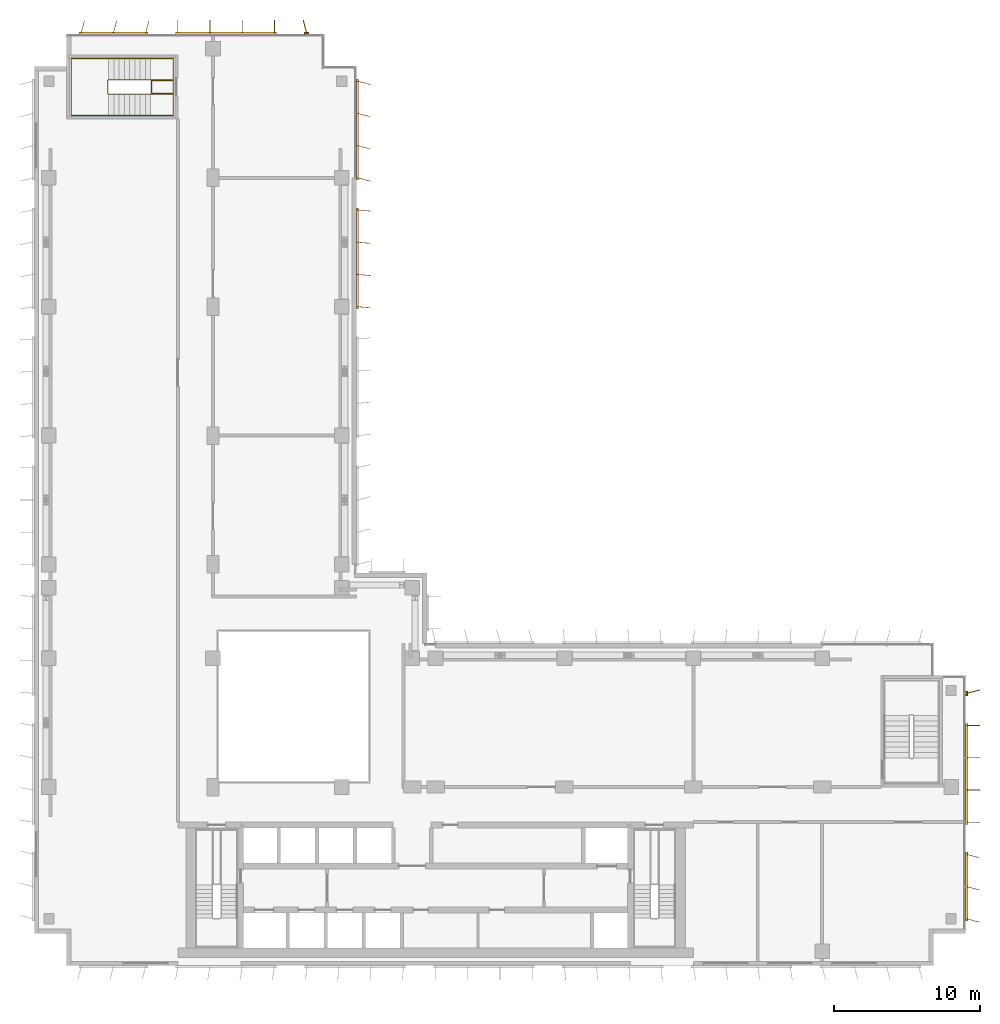
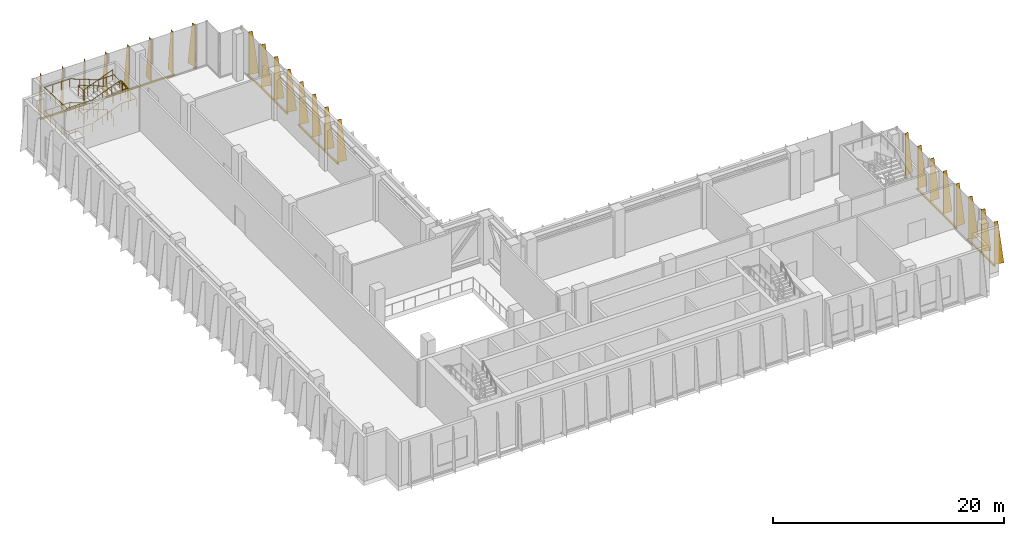
# One storey, part 17 of 17: 8 shading devices, 2 railings.
"""IFC4 building model written with IfcOpenShell, lengths in metres."""

import ifcopenshell
import ifcopenshell.guid

model = None  # the IFC model being written
_history = None  # IfcOwnerHistory: only IFC2X3 demands one
_inside = {}  # id of a spatial element -> (the spatial element, [elements in it])
_under = {}  # id of a project, library or spatial element -> (it, [spatial elements below it])
_declared = {}  # id of a project -> (the project, [libraries it declares])
_typed = {}  # id of a type object -> (the type object, [elements of that type])
_made_of = {}  # id of a material, layer set ... -> (it, [elements and type objects made of it])


def new_model(schema):
    """Start an empty IFC model of exactly this schema.

    Asked for "IFC4X3", IfcOpenShell would pick the latest addendum, in which some entities
    have other attributes; the version numbers below select the first issue.
    IFC2X3 requires an IfcOwnerHistory on every rooted entity: one is made here for all.
    """
    global model, _history
    if schema == "IFC4X3":
        model = ifcopenshell.file(schema_version=(4, 3, 0, 0))
    else:
        model = ifcopenshell.file(schema=schema)
    _inside.clear()
    _under.clear()
    _declared.clear()
    _typed.clear()
    _made_of.clear()
    _history = None
    if model.schema == "IFC2X3":
        org = make("IfcOrganization", Name="unknown")
        user = make(
            "IfcPersonAndOrganization",
            ThePerson=make("IfcPerson", FamilyName="unknown"),
            TheOrganization=org,
        )
        app = make(
            "IfcApplication",
            ApplicationDeveloper=org,
            Version="unknown",
            ApplicationFullName="unknown",
            ApplicationIdentifier="unknown",
        )
        _history = make(
            "IfcOwnerHistory",
            OwningUser=user,
            OwningApplication=app,
            ChangeAction="ADDED",
            CreationDate=0,
        )
    return model


def make(cls, **values):
    """One entity of the class cls with the attributes given. An attribute that is None is left unset."""
    return model.create_entity(
        cls, **{name: value for name, value in values.items() if value is not None}
    )


def rooted(cls, **values):
    """An entity with a GlobalId (a new one), such as an element, a storey or a relation."""
    return make(cls, GlobalId=ifcopenshell.guid.new(), OwnerHistory=_history, **values)


def si_unit(unit_type, name, prefix=None):
    """IfcSIUnit, for example si_unit("LENGTHUNIT", "METRE", prefix="MILLI")."""
    return make("IfcSIUnit", UnitType=unit_type, Prefix=prefix, Name=name)


def assignment(units):
    """IfcUnitAssignment: the units of a project."""
    return None if units is None else make("IfcUnitAssignment", Units=units)


def point(xyz):
    """IfcCartesianPoint."""
    return None if xyz is None else make("IfcCartesianPoint", Coordinates=xyz)


def direction(xyz):
    """IfcDirection."""
    return None if xyz is None else make("IfcDirection", DirectionRatios=xyz)


def frame(location, z_axis=None, x_axis=None):
    """IfcAxis2Placement3D, a coordinate frame: its origin and axes. An axis left out is left unset."""
    return make(
        "IfcAxis2Placement3D",
        Location=point(location),
        Axis=direction(z_axis),
        RefDirection=direction(x_axis),
    )


def frame_2d(location, x_axis=None):
    """IfcAxis2Placement2D, a coordinate frame in the plane: its origin and x axis."""
    return make(
        "IfcAxis2Placement2D", Location=point(location), RefDirection=direction(x_axis)
    )


def origin():
    """The frame at (0, 0, 0) with its axes left unset."""
    return frame((0.0, 0.0, 0.0))


def origin_2d():
    """The frame at (0, 0) in the plane with its x axis left unset."""
    return frame_2d((0.0, 0.0))


def place(relative_to, where):
    """IfcLocalPlacement: puts the frame where relative to a parent placement (None: the world)."""
    return make(
        "IfcLocalPlacement", PlacementRelTo=relative_to, RelativePlacement=where
    )


def context(
    kind, dimensions, precision=None, world=None, true_north=None, identifier=None
):
    """IfcGeometricRepresentationContext, for example the 3D "Model" context."""
    return make(
        "IfcGeometricRepresentationContext",
        ContextIdentifier=identifier,
        ContextType=kind,
        CoordinateSpaceDimension=dimensions,
        Precision=precision,
        WorldCoordinateSystem=world,
        TrueNorth=true_north,
    )


def subcontext(parent, identifier, kind, view, scale=None):
    """IfcGeometricRepresentationSubContext, for example "Body" below "Model"."""
    return make(
        "IfcGeometricRepresentationSubContext",
        ContextIdentifier=identifier,
        ContextType=kind,
        ParentContext=parent,
        TargetScale=scale,
        TargetView=view,
    )


def project(units=None, contexts=None):
    """IfcProject with its units and contexts."""
    return rooted(
        "IfcProject",
        Name="project",
        RepresentationContexts=contexts,
        UnitsInContext=assignment(units),
    )


def spatial(cls, under=None, at=None, **own):
    """A site, building, storey or space (cls), placed at a placement, below another one or the project."""
    s = rooted(cls, ObjectPlacement=at, **own)
    if under is not None:
        _under.setdefault(under.id(), (under, []))[1].append(s)
    return s


def polyline(points):
    """IfcPolyline through the points."""
    return make("IfcPolyline", Points=[point(p) for p in points])


def profile(cls, at=None, kind="AREA", **sizes):
    """A parametric profile (cls). Its sizes go by their IFC names, for example OverallWidth=200.0."""
    return make(cls, ProfileType=kind, Position=at, **sizes)


def rectangle(**sizes):
    """IfcRectangleProfileDef."""
    return profile("IfcRectangleProfileDef", **sizes)


def circle(**sizes):
    """IfcCircleProfileDef."""
    return profile("IfcCircleProfileDef", **sizes)


def outline(outer, holes=None, kind="AREA"):
    """IfcArbitraryClosedProfileDef: a profile drawn as a closed curve; with holes, ...WithVoids."""
    if holes is None:
        return make("IfcArbitraryClosedProfileDef", ProfileType=kind, OuterCurve=outer)
    return make(
        "IfcArbitraryProfileDefWithVoids",
        ProfileType=kind,
        OuterCurve=outer,
        InnerCurves=holes,
    )


def extrude(swept, where, along, depth):
    """IfcExtrudedAreaSolid: the profile swept, set in the frame where, extruded along a direction by depth."""
    return make(
        "IfcExtrudedAreaSolid",
        SweptArea=swept,
        Position=where,
        ExtrudedDirection=direction(along),
        Depth=depth,
    )


def shape(context_of_items, identifier, shape_type, items):
    """IfcShapeRepresentation: the items that make up one representation, for example the "Body"."""
    return make(
        "IfcShapeRepresentation",
        ContextOfItems=context_of_items,
        RepresentationIdentifier=identifier,
        RepresentationType=shape_type,
        Items=items,
    )


def source(mapping_origin, context_of_items, identifier, shape_type, items):
    """IfcRepresentationMap: a shape defined once, which mapped items show again and again."""
    return make(
        "IfcRepresentationMap",
        MappingOrigin=mapping_origin,
        MappedRepresentation=shape(context_of_items, identifier, shape_type, items),
    )


def transform(
    local_origin,
    x_axis=None,
    y_axis=None,
    z_axis=None,
    scale=None,
    scale2=None,
    scale3=None,
    uniform=True,
):
    """IfcCartesianTransformationOperator3D, or its non-uniform kind. x_axis, y_axis, z_axis: its Axis1, 2, 3."""
    if uniform:
        return make(
            "IfcCartesianTransformationOperator3D",
            Axis1=direction(x_axis),
            Axis2=direction(y_axis),
            LocalOrigin=point(local_origin),
            Scale=scale,
            Axis3=direction(z_axis),
        )
    return make(
        "IfcCartesianTransformationOperator3DnonUniform",
        Axis1=direction(x_axis),
        Axis2=direction(y_axis),
        LocalOrigin=point(local_origin),
        Scale=scale,
        Axis3=direction(z_axis),
        Scale2=scale2,
        Scale3=scale3,
    )


def mapped(mapping_source, mapping_target):
    """IfcMappedItem: shows the shape of a source again, moved by a transform."""
    return make(
        "IfcMappedItem", MappingSource=mapping_source, MappingTarget=mapping_target
    )


def material(Name=None, Category=None):
    """IfcMaterial."""
    return make("IfcMaterial", Name=Name, Category=Category)


def layer(
    of_material, thickness, ventilated=None, Name=None, Category=None, Priority=None
):
    """IfcMaterialLayer: one layer of a wall or slab, of a material (None: an air gap)."""
    return make(
        "IfcMaterialLayer",
        Material=of_material,
        LayerThickness=thickness,
        IsVentilated=ventilated,
        Name=Name,
        Category=Category,
        Priority=Priority,
    )


def layer_set(layers, Name=None):
    """IfcMaterialLayerSet."""
    return make("IfcMaterialLayerSet", MaterialLayers=layers, LayerSetName=Name)


def made_of(thing, what):
    """Note that an element or type object is made of a material, layer set ...; save() writes the relation."""
    if what is not None:
        _made_of.setdefault(what.id(), (what, []))[1].append(thing)
    return thing


def type_object(cls, material=None, **own):
    """A type object (cls), such as IfcWallType, which elements share."""
    return made_of(rooted(cls, **own), material)


def element(
    cls,
    number,
    at=None,
    inside=None,
    cuts=None,
    type_object=None,
    material=None,
    context=None,
    identifier="Body",
    shape_type=None,
    held_by="IfcProductDefinitionShape",
    body=None,
    shapes=None,
    **own,
):
    """One element of the class cls, such as IfcWall. Its Tag is "e" and its number.

    at: its placement. inside: the storey or other place that contains it. cuts: it is an
    opening in that element (IfcRelVoidsElement). A single representation is given by context,
    identifier, shape_type and body (its items); several are given by shapes. held_by: the class
    of the entity that holds the representations. save() writes the other relations.
    """
    e = rooted(cls, Tag="e%d" % number, ObjectPlacement=at, **own)
    if body is not None:
        shapes = [shape(context, identifier, shape_type, body)]
    if shapes is not None:
        e.Representation = make(held_by, Representations=shapes)
    if inside is not None:
        _inside.setdefault(inside.id(), (inside, []))[1].append(e)
    if cuts is not None:
        rooted(
            "IfcRelVoidsElement", RelatingBuildingElement=cuts, RelatedOpeningElement=e
        )
    if type_object is not None:
        _typed.setdefault(type_object.id(), (type_object, []))[1].append(e)
    return made_of(e, material)


def aggregate(whole, parts):
    """IfcRelAggregates: a whole, such as a stair, and the parts it consists of."""
    return rooted("IfcRelAggregates", RelatingObject=whole, RelatedObjects=parts)


def save(model, path):
    """Write the relations noted so far, then the file.

    IfcRelAggregates (storeys below a building ...), IfcRelContainedInSpatialStructure (elements
    in a storey), IfcRelDefinesByType, IfcRelAssociatesMaterial and IfcRelDeclares: one each for
    every whole, place, type object, material and project.
    """
    for whole, parts in _under.values():
        aggregate(whole, parts)
    for where, things in _inside.values():
        rooted(
            "IfcRelContainedInSpatialStructure",
            RelatedElements=things,
            RelatingStructure=where,
        )
    for kind, things in _typed.values():
        rooted("IfcRelDefinesByType", RelatedObjects=things, RelatingType=kind)
    for what, things in _made_of.values():
        rooted("IfcRelAssociatesMaterial", RelatedObjects=things, RelatingMaterial=what)
    for by, libraries in _declared.values():
        rooted("IfcRelDeclares", RelatingContext=by, RelatedDefinitions=libraries)
    model.write(path)


model = new_model("IFC4")

# Units and contexts
model_context = context("Model", 3, precision=1e-05, world=origin(), true_north=direction((0.0, 1.0)))
body_context = subcontext(model_context, "Body", "Model", "MODEL_VIEW")
ifc_project = project(units=[si_unit("LENGTHUNIT", "METRE"), si_unit("AREAUNIT", "SQUARE_METRE"), si_unit("VOLUMEUNIT", "CUBIC_METRE"), si_unit("PLANEANGLEUNIT", "RADIAN"), si_unit("MASSUNIT", "GRAM", prefix="KILO")], contexts=[model_context])

# Site, building, storey
site_placement = place(None, origin())
site = spatial("IfcSite", under=ifc_project, at=site_placement, CompositionType="ELEMENT")
building_placement = place(site_placement, origin())
building = spatial("IfcBuilding", under=site, at=building_placement, Name="Kemantara Hotel Tower", CompositionType="ELEMENT")
storey_placement = place(building_placement, frame((0.0, 0.0, 193.800048828125)))
storey = spatial("IfcBuildingStorey", under=building, at=storey_placement, Name="L48", CompositionType="ELEMENT", Elevation=193.800048828125)

# Railings
ifc_material_1 = material(Name="Stainless steel balustrade", Category="steel")
railing_type_1 = type_object("IfcRailingType", Name="Stair guard 1100 mm", PredefinedType="GUARDRAIL", material=ifc_material_1)
railing_1_placement = place(storey_placement, frame((7.949951171875, 59.5, 5.0)))
element("IfcRailing", 1, at=railing_1_placement, inside=storey, type_object=railing_type_1, Name="L48 ST4 stair guard 1", PredefinedType="GUARDRAIL", context=body_context, shape_type="SweptSolid", body=[
    extrude(circle(Radius=0.02392578125, at=origin_2d()), frame((0.0, 0.0, 1.076171875), z_axis=(-0.932972064118, 0.0, -0.359948784656), x_axis=(0.0, -1.0, 0.0)), (0.0, 0.0, 1.0), 3.086669921875),
    extrude(circle(Radius=0.02392578125, at=origin_2d()), frame((-2.8798828125, 0.0, -0.03515625), z_axis=(-0.321014310373, 0.321014310373, -0.891010451718), x_axis=(-0.707106781187, -0.707106781187, 0.0)), (0.0, 0.0, 1.0), 0.156005859375),
    extrude(circle(Radius=0.02392578125, at=origin_2d()), frame((-2.929931640625, 0.050048828125, -0.173828125), z_axis=(0.0, 1.0, 0.0), x_axis=(-1.0, 0.0, 0.0)), (0.0, 0.0, 1.0), 0.89990234375),
    extrude(circle(Radius=0.02392578125, at=origin_2d()), frame((-2.929931640625, 0.949951171875, -0.173828125), z_axis=(0.707106781187, 0.707106781187, 0.0), x_axis=(-0.707106781187, 0.707106781187, 0.0)), (0.0, 0.0, 1.0), 0.07080078125),
    extrude(circle(Radius=0.02392578125, at=origin_2d()), frame((-2.8798828125, 1.0, -0.173828125), z_axis=(0.932972064118, 0.0, -0.359948784656), x_axis=(0.0, 1.0, 0.0)), (0.0, 0.0, 1.0), 3.086669921875),
    extrude(circle(Radius=0.02392578125, at=origin_2d()), frame((0.0, 1.0, -1.28515625), z_axis=(1.0, 0.0, 0.0), x_axis=(0.0, 1.0, 0.0)), (0.0, 0.0, 1.0), 1.530029296875),
    extrude(circle(Radius=0.02392578125, at=origin_2d()), frame((1.530029296875, 1.0, -1.28515625), z_axis=(0.0, -0.989476165601, -0.144695949172), x_axis=(1.0, 0.0, 0.0)), (0.0, 0.0, 1.0), 0.9599609375),
    extrude(circle(Radius=0.02392578125, at=origin_2d()), frame((1.530029296875, 0.050048828125, -1.423828125), z_axis=(-1.0, 0.0, 0.0), x_axis=(0.0, -1.0, 0.0)), (0.0, 0.0, 1.0), 1.47998046875),
    extrude(circle(Radius=0.02392578125, at=origin_2d()), frame((0.050048828125, 0.050048828125, -1.423828125), z_axis=(0.0, 1.0, 0.0), x_axis=(-1.0, 0.0, 0.0)), (0.0, 0.0, 1.0), 0.89990234375),
    extrude(circle(Radius=0.02392578125, at=origin_2d()), frame((0.050048828125, 0.949951171875, -1.423828125), z_axis=(1.0, 0.0, 0.0), x_axis=(0.0, 1.0, 0.0)), (0.0, 0.0, 1.0), 1.47998046875),
    extrude(circle(Radius=0.02392578125, at=origin_2d()), frame((1.530029296875, 0.949951171875, -1.423828125), z_axis=(0.0, -1.0, 0.0), x_axis=(1.0, 0.0, 0.0)), (0.0, 0.0, 1.0), 0.949951171875),
    extrude(circle(Radius=0.02392578125, at=origin_2d()), frame((1.530029296875, 0.0, -1.423828125), z_axis=(-1.0, 0.0, 0.0), x_axis=(0.0, -1.0, 0.0)), (0.0, 0.0, 1.0), 1.530029296875),
    extrude(circle(Radius=0.02392578125, at=origin_2d()), frame((0.0, 0.0, -1.423828125), z_axis=(-0.932972064118, 0.0, -0.359948784656), x_axis=(0.0, -1.0, 0.0)), (0.0, 0.0, 1.0), 3.086669921875),
    extrude(circle(Radius=0.02392578125, at=origin_2d()), frame((-2.8798828125, 0.0, -2.53515625), z_axis=(-0.321014310373, 0.321014310373, -0.891010451718), x_axis=(-0.707106781187, -0.707106781187, 0.0)), (0.0, 0.0, 1.0), 0.156005859375),
    extrude(circle(Radius=0.02392578125, at=origin_2d()), frame((-2.929931640625, 0.050048828125, -2.673828125), z_axis=(0.0, 1.0, 0.0), x_axis=(-1.0, 0.0, 0.0)), (0.0, 0.0, 1.0), 0.89990234375),
    extrude(circle(Radius=0.02392578125, at=origin_2d()), frame((-2.929931640625, 0.949951171875, -2.673828125), z_axis=(0.707106781187, 0.707106781187, 0.0), x_axis=(-0.707106781187, 0.707106781187, 0.0)), (0.0, 0.0, 1.0), 0.07080078125),
    extrude(circle(Radius=0.02392578125, at=origin_2d()), frame((-2.8798828125, 1.0, -2.673828125), z_axis=(0.932972064118, 0.0, -0.359948784656), x_axis=(0.0, 1.0, 0.0)), (0.0, 0.0, 1.0), 3.086669921875),
    extrude(circle(Radius=0.02392578125, at=origin_2d()), frame((0.0, 1.0, -3.78515625), z_axis=(0.321014310373, -0.321014310373, -0.891010451718), x_axis=(0.707106781187, 0.707106781187, 0.0)), (0.0, 0.0, 1.0), 0.156005859375),
    extrude(circle(Radius=0.02392578125, at=origin_2d()), frame((0.050048828125, 0.949951171875, -3.923828125), z_axis=(0.0, -1.0, 0.0), x_axis=(1.0, 0.0, 0.0)), (0.0, 0.0, 1.0), 0.89990234375),
    extrude(circle(Radius=0.02099609375, at=origin_2d()), origin(), (0.0, 0.0, 1.0), 1.052001953125),
    extrude(circle(Radius=0.02099609375, at=origin_2d()), frame((-0.9599609375, 0.0, -0.370361328125)), (0.0, 0.0, 1.0), 1.052001953125),
    extrude(circle(Radius=0.02099609375, at=origin_2d()), frame((-1.919921875, 0.0, -0.74072265625)), (0.0, 0.0, 1.0), 1.052001953125),
    extrude(circle(Radius=0.02099609375, at=origin_2d()), frame((-2.8798828125, 0.0, -1.111083984375)), (0.0, 0.0, 1.0), 1.052001953125),
    extrude(circle(Radius=0.02099609375, at=origin_2d()), frame((-2.929931640625, 0.050048828125, -1.25)), (0.0, 0.0, 1.0), 1.052001953125),
    extrude(circle(Radius=0.02099609375, at=origin_2d()), frame((-2.929931640625, 0.949951171875, -1.25)), (0.0, 0.0, 1.0), 1.052001953125),
    extrude(circle(Radius=0.02099609375, at=origin_2d()), frame((-2.8798828125, 1.0, -1.25)), (0.0, 0.0, 1.0), 1.052001953125),
    extrude(circle(Radius=0.02099609375, at=origin_2d()), frame((-1.919921875, 1.0, -1.620361328125)), (0.0, 0.0, 1.0), 1.052001953125),
    extrude(circle(Radius=0.02099609375, at=origin_2d()), frame((-0.9599609375, 1.0, -1.99072265625)), (0.0, 0.0, 1.0), 1.052001953125),
    extrude(circle(Radius=0.02099609375, at=origin_2d()), frame((0.0, 1.0, -2.361083984375)), (0.0, 0.0, 1.0), 1.052001953125),
    extrude(circle(Radius=0.02099609375, at=origin_2d()), frame((0.76513671875, 1.0, -2.361083984375)), (0.0, 0.0, 1.0), 1.052001953125),
    extrude(circle(Radius=0.02099609375, at=origin_2d()), frame((1.530029296875, 1.0, -2.361083984375)), (0.0, 0.0, 1.0), 1.052001953125),
    extrude(circle(Radius=0.02099609375, at=origin_2d()), frame((1.530029296875, 0.050048828125, -2.5)), (0.0, 0.0, 1.0), 1.052001953125),
    extrude(circle(Radius=0.02099609375, at=origin_2d()), frame((0.7900390625, 0.050048828125, -2.5)), (0.0, 0.0, 1.0), 1.052001953125),
    extrude(circle(Radius=0.02099609375, at=origin_2d()), frame((0.050048828125, 0.050048828125, -2.5)), (0.0, 0.0, 1.0), 1.052001953125),
    extrude(circle(Radius=0.02099609375, at=origin_2d()), frame((0.050048828125, 0.949951171875, -2.5)), (0.0, 0.0, 1.0), 1.052001953125),
    extrude(circle(Radius=0.02099609375, at=origin_2d()), frame((0.7900390625, 0.949951171875, -2.5)), (0.0, 0.0, 1.0), 1.052001953125),
    extrude(circle(Radius=0.02099609375, at=origin_2d()), frame((1.530029296875, 0.949951171875, -2.5)), (0.0, 0.0, 1.0), 1.052001953125),
    extrude(circle(Radius=0.02099609375, at=origin_2d()), frame((1.530029296875, 0.0, -2.5)), (0.0, 0.0, 1.0), 1.052001953125),
    extrude(circle(Radius=0.02099609375, at=origin_2d()), frame((0.76513671875, 0.0, -2.5)), (0.0, 0.0, 1.0), 1.052001953125),
    extrude(circle(Radius=0.02099609375, at=origin_2d()), frame((0.0, 0.0, -2.5)), (0.0, 0.0, 1.0), 1.052001953125),
    extrude(circle(Radius=0.02099609375, at=origin_2d()), frame((-0.9599609375, 0.0, -2.870361328125)), (0.0, 0.0, 1.0), 1.052001953125),
    extrude(circle(Radius=0.02099609375, at=origin_2d()), frame((-1.919921875, 0.0, -3.24072265625)), (0.0, 0.0, 1.0), 1.052001953125),
    extrude(circle(Radius=0.02099609375, at=origin_2d()), frame((-2.8798828125, 0.0, -3.611083984375)), (0.0, 0.0, 1.0), 1.052001953125),
    extrude(circle(Radius=0.02099609375, at=origin_2d()), frame((-2.929931640625, 0.050048828125, -3.75)), (0.0, 0.0, 1.0), 1.052001953125),
    extrude(circle(Radius=0.02099609375, at=origin_2d()), frame((-2.929931640625, 0.949951171875, -3.75)), (0.0, 0.0, 1.0), 1.052001953125),
    extrude(circle(Radius=0.02099609375, at=origin_2d()), frame((-2.8798828125, 1.0, -3.75)), (0.0, 0.0, 1.0), 1.052001953125),
    extrude(circle(Radius=0.02099609375, at=origin_2d()), frame((-1.919921875, 1.0, -4.120361328125)), (0.0, 0.0, 1.0), 1.052001953125),
    extrude(circle(Radius=0.02099609375, at=origin_2d()), frame((-0.9599609375, 1.0, -4.49072265625)), (0.0, 0.0, 1.0), 1.052001953125),
    extrude(circle(Radius=0.02099609375, at=origin_2d()), frame((0.0, 1.0, -4.861083984375)), (0.0, 0.0, 1.0), 1.052001953125),
    extrude(circle(Radius=0.02099609375, at=origin_2d()), frame((0.050048828125, 0.949951171875, -5.0)), (0.0, 0.0, 1.0), 1.052001953125),
    extrude(circle(Radius=0.02099609375, at=origin_2d()), frame((0.050048828125, 0.050048828125, -5.0)), (0.0, 0.0, 1.0), 1.052001953125),
])
railing_type_2 = type_object("IfcRailingType", Name="Stair handrail 900 mm", PredefinedType="HANDRAIL", material=ifc_material_1)
railing_2_placement = place(storey_placement, frame((7.949951171875, 61.949951171875, 0.138916015625)))
element("IfcRailing", 2, at=railing_2_placement, inside=storey, type_object=railing_type_2, Name="L48 ST4 stair handrail 1", PredefinedType="HANDRAIL", context=body_context, shape_type="SweptSolid", body=[
    extrude(circle(Radius=0.02392578125, at=origin_2d()), frame((0.0, 0.0, 0.8759765625), z_axis=(-0.932972064118, 0.0, 0.359948784656), x_axis=(0.0, -1.0, 0.0)), (0.0, 0.0, 1.0), 3.086669921875),
    extrude(circle(Radius=0.02392578125, at=origin_2d()), frame((-2.8798828125, 0.0, 1.98681640625), z_axis=(-1.0, 0.0, 0.0), x_axis=(0.0, -1.0, 0.0)), (0.0, 0.0, 1.0), 2.550048828125),
    extrude(circle(Radius=0.02392578125, at=origin_2d()), frame((-5.429931640625, 0.0, 1.98681640625), z_axis=(0.0, -0.999366197222, 0.035597806825), x_axis=(1.0, 0.0, 0.0)), (0.0, 0.0, 1.0), 3.90234375),
    extrude(circle(Radius=0.02392578125, at=origin_2d()), frame((-5.429931640625, -3.89990234375, 2.1259765625), z_axis=(1.0, 0.0, 0.0), x_axis=(0.0, 1.0, 0.0)), (0.0, 0.0, 1.0), 2.550048828125),
    extrude(circle(Radius=0.02392578125, at=origin_2d()), frame((-2.8798828125, -3.89990234375, 2.1259765625), z_axis=(0.932972064118, 0.0, 0.359948784656), x_axis=(0.0, 1.0, 0.0)), (0.0, 0.0, 1.0), 3.086669921875),
    extrude(circle(Radius=0.02392578125, at=origin_2d()), frame((0.0, -3.89990234375, 3.23681640625), z_axis=(1.0, 0.0, 0.0), x_axis=(0.0, 1.0, 0.0)), (0.0, 0.0, 1.0), 1.530029296875),
    extrude(circle(Radius=0.02392578125, at=origin_2d()), frame((1.530029296875, -3.89990234375, 3.23681640625), z_axis=(0.0, 0.999366197222, 0.035597806825), x_axis=(-1.0, 0.0, 0.0)), (0.0, 0.0, 1.0), 3.90234375),
    extrude(circle(Radius=0.02392578125, at=origin_2d()), frame((1.530029296875, 0.0, 3.3759765625), z_axis=(-1.0, 0.0, 0.0), x_axis=(0.0, -1.0, 0.0)), (0.0, 0.0, 1.0), 1.530029296875),
    extrude(circle(Radius=0.02392578125, at=origin_2d()), frame((0.0, 0.0, 3.3759765625), z_axis=(-0.932972064118, 0.0, 0.359948784656), x_axis=(0.0, -1.0, 0.0)), (0.0, 0.0, 1.0), 3.086669921875),
    extrude(circle(Radius=0.02392578125, at=origin_2d()), frame((-2.8798828125, 0.0, 4.48681640625), z_axis=(-1.0, 0.0, 0.0), x_axis=(0.0, -1.0, 0.0)), (0.0, 0.0, 1.0), 2.550048828125),
    extrude(circle(Radius=0.02392578125, at=origin_2d()), frame((-5.429931640625, 0.0, 4.48681640625), z_axis=(0.0, -0.999366197222, 0.035597806825), x_axis=(1.0, 0.0, 0.0)), (0.0, 0.0, 1.0), 3.90234375),
    extrude(circle(Radius=0.02392578125, at=origin_2d()), frame((-5.429931640625, -3.89990234375, 4.6259765625), z_axis=(1.0, 0.0, 0.0), x_axis=(0.0, 1.0, 0.0)), (0.0, 0.0, 1.0), 2.550048828125),
    extrude(circle(Radius=0.02392578125, at=origin_2d()), frame((-2.8798828125, -3.89990234375, 4.6259765625), z_axis=(0.932972064118, 0.0, 0.359948784656), x_axis=(0.0, 1.0, 0.0)), (0.0, 0.0, 1.0), 3.086669921875),
    extrude(circle(Radius=0.02099609375, at=origin_2d()), origin(), (0.0, 0.0, 1.0), 0.851806640625),
    extrude(circle(Radius=0.02099609375, at=origin_2d()), frame((-0.9599609375, 0.0, 0.370361328125)), (0.0, 0.0, 1.0), 0.851806640625),
    extrude(circle(Radius=0.02099609375, at=origin_2d()), frame((-1.919921875, 0.0, 0.74072265625)), (0.0, 0.0, 1.0), 0.851806640625),
    extrude(circle(Radius=0.02099609375, at=origin_2d()), frame((-2.8798828125, 0.0, 1.111083984375)), (0.0, 0.0, 1.0), 0.851806640625),
    extrude(circle(Radius=0.02099609375, at=origin_2d()), frame((-3.72998046875, 0.0, 1.111083984375)), (0.0, 0.0, 1.0), 0.851806640625),
    extrude(circle(Radius=0.02099609375, at=origin_2d()), frame((-4.579833984375, 0.0, 1.111083984375)), (0.0, 0.0, 1.0), 0.851806640625),
    extrude(circle(Radius=0.02099609375, at=origin_2d()), frame((-5.429931640625, 0.0, 1.111083984375)), (0.0, 0.0, 1.0), 0.851806640625),
    extrude(circle(Radius=0.02099609375, at=origin_2d()), frame((-5.429931640625, -0.97509765625, 1.145751953125)), (0.0, 0.0, 1.0), 0.851806640625),
    extrude(circle(Radius=0.02099609375, at=origin_2d()), frame((-5.429931640625, -1.949951171875, 1.1806640625)), (0.0, 0.0, 1.0), 0.851806640625),
    extrude(circle(Radius=0.02099609375, at=origin_2d()), frame((-5.429931640625, -2.9248046875, 1.21533203125)), (0.0, 0.0, 1.0), 0.851806640625),
    extrude(circle(Radius=0.02099609375, at=origin_2d()), frame((-5.429931640625, -3.89990234375, 1.25)), (0.0, 0.0, 1.0), 0.851806640625),
    extrude(circle(Radius=0.02099609375, at=origin_2d()), frame((-4.579833984375, -3.89990234375, 1.25)), (0.0, 0.0, 1.0), 0.851806640625),
    extrude(circle(Radius=0.02099609375, at=origin_2d()), frame((-3.72998046875, -3.89990234375, 1.25)), (0.0, 0.0, 1.0), 0.851806640625),
    extrude(circle(Radius=0.02099609375, at=origin_2d()), frame((-2.8798828125, -3.89990234375, 1.25)), (0.0, 0.0, 1.0), 0.851806640625),
    extrude(circle(Radius=0.02099609375, at=origin_2d()), frame((-1.919921875, -3.89990234375, 1.620361328125)), (0.0, 0.0, 1.0), 0.851806640625),
    extrude(circle(Radius=0.02099609375, at=origin_2d()), frame((-0.9599609375, -3.89990234375, 1.99072265625)), (0.0, 0.0, 1.0), 0.851806640625),
    extrude(circle(Radius=0.02099609375, at=origin_2d()), frame((0.0, -3.89990234375, 2.361083984375)), (0.0, 0.0, 1.0), 0.851806640625),
    extrude(circle(Radius=0.02099609375, at=origin_2d()), frame((0.76513671875, -3.89990234375, 2.361083984375)), (0.0, 0.0, 1.0), 0.851806640625),
    extrude(circle(Radius=0.02099609375, at=origin_2d()), frame((1.530029296875, -3.89990234375, 2.361083984375)), (0.0, 0.0, 1.0), 0.851806640625),
    extrude(circle(Radius=0.02099609375, at=origin_2d()), frame((1.530029296875, -2.9248046875, 2.395751953125)), (0.0, 0.0, 1.0), 0.851806640625),
    extrude(circle(Radius=0.02099609375, at=origin_2d()), frame((1.530029296875, -1.949951171875, 2.4306640625)), (0.0, 0.0, 1.0), 0.851806640625),
    extrude(circle(Radius=0.02099609375, at=origin_2d()), frame((1.530029296875, -0.97509765625, 2.46533203125)), (0.0, 0.0, 1.0), 0.851806640625),
    extrude(circle(Radius=0.02099609375, at=origin_2d()), frame((1.530029296875, 0.0, 2.5)), (0.0, 0.0, 1.0), 0.851806640625),
    extrude(circle(Radius=0.02099609375, at=origin_2d()), frame((0.76513671875, 0.0, 2.5)), (0.0, 0.0, 1.0), 0.851806640625),
    extrude(circle(Radius=0.02099609375, at=origin_2d()), frame((0.0, 0.0, 2.5)), (0.0, 0.0, 1.0), 0.851806640625),
    extrude(circle(Radius=0.02099609375, at=origin_2d()), frame((-0.9599609375, 0.0, 2.870361328125)), (0.0, 0.0, 1.0), 0.851806640625),
    extrude(circle(Radius=0.02099609375, at=origin_2d()), frame((-1.919921875, 0.0, 3.24072265625)), (0.0, 0.0, 1.0), 0.851806640625),
    extrude(circle(Radius=0.02099609375, at=origin_2d()), frame((-2.8798828125, 0.0, 3.611083984375)), (0.0, 0.0, 1.0), 0.851806640625),
    extrude(circle(Radius=0.02099609375, at=origin_2d()), frame((-3.72998046875, 0.0, 3.611083984375)), (0.0, 0.0, 1.0), 0.851806640625),
    extrude(circle(Radius=0.02099609375, at=origin_2d()), frame((-4.579833984375, 0.0, 3.611083984375)), (0.0, 0.0, 1.0), 0.851806640625),
    extrude(circle(Radius=0.02099609375, at=origin_2d()), frame((-5.429931640625, 0.0, 3.611083984375)), (0.0, 0.0, 1.0), 0.851806640625),
    extrude(circle(Radius=0.02099609375, at=origin_2d()), frame((-5.429931640625, -0.97509765625, 3.645751953125)), (0.0, 0.0, 1.0), 0.851806640625),
    extrude(circle(Radius=0.02099609375, at=origin_2d()), frame((-5.429931640625, -1.949951171875, 3.6806640625)), (0.0, 0.0, 1.0), 0.851806640625),
    extrude(circle(Radius=0.02099609375, at=origin_2d()), frame((-5.429931640625, -2.9248046875, 3.71533203125)), (0.0, 0.0, 1.0), 0.851806640625),
    extrude(circle(Radius=0.02099609375, at=origin_2d()), frame((-5.429931640625, -3.89990234375, 3.75)), (0.0, 0.0, 1.0), 0.851806640625),
    extrude(circle(Radius=0.02099609375, at=origin_2d()), frame((-4.579833984375, -3.89990234375, 3.75)), (0.0, 0.0, 1.0), 0.851806640625),
    extrude(circle(Radius=0.02099609375, at=origin_2d()), frame((-3.72998046875, -3.89990234375, 3.75)), (0.0, 0.0, 1.0), 0.851806640625),
    extrude(circle(Radius=0.02099609375, at=origin_2d()), frame((-2.8798828125, -3.89990234375, 3.75)), (0.0, 0.0, 1.0), 0.851806640625),
    extrude(circle(Radius=0.02099609375, at=origin_2d()), frame((-1.919921875, -3.89990234375, 4.120361328125)), (0.0, 0.0, 1.0), 0.851806640625),
    extrude(circle(Radius=0.02099609375, at=origin_2d()), frame((-0.9599609375, -3.89990234375, 4.49072265625)), (0.0, 0.0, 1.0), 0.851806640625),
    extrude(circle(Radius=0.02099609375, at=origin_2d()), frame((0.0, -3.89990234375, 4.861083984375)), (0.0, 0.0, 1.0), 0.851806640625),
])

# Shading devices
ifc_material_2 = material(Name="Perforated aluminium plate 4 mm bronze anodised", Category="aluminium")
ifc_layer_1 = layer(ifc_material_2, 0.0400390625)
ifc_layer_set_1 = layer_set([ifc_layer_1], Name="Perforated aluminium plate 4 mm bronze anodised")
shading_device_type_1 = type_object("IfcShadingDeviceType", Name="SCREEN FIN CASSETTE, 3 BLADES AT -15.0 DEG, 4500 HIGH", PredefinedType="USERDEFINED", material=ifc_layer_set_1)
shared_shape_1 = source(origin(), body_context, "Body", "SweptSolid", [
    extrude(rectangle(XDim=4.699951171875, YDim=0.14990234375, at=origin_2d()), frame((2.199951171875, -0.074951171875, -0.14990234375), z_axis=(0.0, 0.0, 1.0), x_axis=(1.0, 0.0, 0.0)), (0.0, 0.0, 1.0), 0.14990234375),
    extrude(outline(polyline([(0.0, 0.0), (0.89990234375, 0.0), (0.35009765625, 4.5), (0.0, 4.5), (0.0, 0.0)])), frame((0.019287109375, -0.080078125, 0.0), z_axis=(-0.966437683387, 0.256901156343, 0.0), x_axis=(-0.256901156343, -0.966437683387, 0.0)), (0.0, 0.0, 1.0), 0.039794921875),
    extrude(outline(polyline([(0.0, 0.0), (0.89990234375, 0.0), (0.35009765625, 4.5), (0.0, 4.5), (0.0, 0.0)])), frame((2.21923828125, -0.080078125, 0.0), z_axis=(-0.966437683387, 0.256901156343, 0.0), x_axis=(-0.256901156343, -0.966437683387, 0.0)), (0.0, 0.0, 1.0), 0.039794921875),
    extrude(outline(polyline([(0.0, 0.0), (0.89990234375, 0.0), (0.35009765625, 4.5), (0.0, 4.5), (0.0, 0.0)])), frame((4.41943359375, -0.080078125, 0.0), z_axis=(-0.966837822169, 0.255391122837, 0.0), x_axis=(-0.255391122837, -0.966837822169, 0.0)), (0.0, 0.0, 1.0), 0.0400390625),
])
for number, where, z_axis, x_axis, name in (
    (3, (7.60009765625, 63.60009765625, 0.099853515625), (0.0, 0.0, 1.0), (-1.0, 0.0, 0.0), "SCREEN FIN CASSETTE L48 T3-R02-3"),
    (4, (63.60009765625, 3.199951171875, 0.099853515625), (0.0, 0.0, 1.0), (0.0, 1.0, 0.0), "SCREEN FIN CASSETTE L48 T3-R11-1"),
):
    element("IfcShadingDevice", number, at=place(storey_placement, frame(where, z_axis=z_axis, x_axis=x_axis)), inside=storey, type_object=shading_device_type_1, Name=name, ObjectType="SCREEN FIN", PredefinedType="USERDEFINED", context=body_context, shape_type="MappedRepresentation", body=[
        mapped(shared_shape_1, transform((0.0, 0.0, 0.0))),
    ])
ifc_layer_2 = layer(ifc_material_2, 0.0400390625)
ifc_layer_set_2 = layer_set([ifc_layer_2], Name="Perforated aluminium plate 4 mm bronze anodised")
shading_device_type_2 = type_object("IfcShadingDeviceType", Name="SCREEN FIN CASSETTE, 4 BLADES AT -5.0 DEG, 4500 HIGH", PredefinedType="USERDEFINED", material=ifc_layer_set_2)
shared_shape_2 = source(origin(), body_context, "Body", "SweptSolid", [
    extrude(rectangle(XDim=6.89990234375, YDim=0.14990234375, at=origin_2d()), frame((3.300048828125, -0.074951171875, -0.14990234375), z_axis=(0.0, 0.0, 1.0), x_axis=(1.0, 0.0, 0.0)), (0.0, 0.0, 1.0), 0.14990234375),
    extrude(outline(polyline([(0.0, 0.0), (0.89990234375, 0.0), (0.35009765625, 4.5), (0.0, 4.5), (0.0, 0.0)])), frame((0.02001953125, -0.07666015625, 0.0), z_axis=(-0.996376129781, 0.085056498884, 0.0), x_axis=(-0.085056498884, -0.996376129781, 0.0)), (0.0, 0.0, 1.0), 0.040283203125),
    extrude(outline(polyline([(0.0, 0.0), (0.89990234375, 0.0), (0.35009765625, 4.5), (0.0, 4.5), (0.0, 0.0)])), frame((2.219970703125, -0.07666015625, 0.0), z_axis=(-0.996331773833, 0.085574508182, 0.0), x_axis=(-0.085574508182, -0.996331773833, 0.0)), (0.0, 0.0, 1.0), 0.0400390625),
    extrude(outline(polyline([(0.0, 0.0), (0.89990234375, 0.0), (0.35009765625, 4.5), (0.0, 4.5), (0.0, 0.0)])), frame((4.419921875, -0.07666015625, 0.0), z_axis=(-0.996331773833, 0.085574508182, 0.0), x_axis=(-0.085574508182, -0.996331773833, 0.0)), (0.0, 0.0, 1.0), 0.0400390625),
    extrude(outline(polyline([(0.0, 0.0), (0.89990234375, 0.0), (0.35009765625, 4.5), (0.0, 4.5), (0.0, 0.0)])), frame((6.619873046875, -0.07666015625, 0.0), z_axis=(-0.996331773833, 0.085574508182, 0.0), x_axis=(-0.085574508182, -0.996331773833, 0.0)), (0.0, 0.0, 1.0), 0.0400390625),
])
shading_device_1_placement = place(storey_placement, frame((22.0, 45.0, 0.099853515625), z_axis=(0.0, 0.0, 1.0), x_axis=(0.0, 1.0, 0.0)))
element("IfcShadingDevice", 5, at=shading_device_1_placement, inside=storey, type_object=shading_device_type_2, Name="SCREEN FIN CASSETTE L48 T3-R17-3", ObjectType="SCREEN FIN", PredefinedType="USERDEFINED", context=body_context, shape_type="MappedRepresentation", body=[
    mapped(shared_shape_2, transform((0.0, 0.0, 0.0))),
])
ifc_layer_3 = layer(ifc_material_2, 0.0400390625)
ifc_layer_set_3 = layer_set([ifc_layer_3], Name="Perforated aluminium plate 4 mm bronze anodised")
shading_device_type_3 = type_object("IfcShadingDeviceType", Name="SCREEN FIN CASSETTE, 4 BLADES AT +0.0 DEG, 4500 HIGH", PredefinedType="USERDEFINED", material=ifc_layer_set_3)
shared_shape_3 = source(origin(), body_context, "Body", "SweptSolid", [
    extrude(rectangle(XDim=6.89990234375, YDim=0.14990234375, at=origin_2d()), frame((3.300048828125, -0.074951171875, -0.14990234375), z_axis=(0.0, 0.0, 1.0), x_axis=(1.0, 0.0, 0.0)), (0.0, 0.0, 1.0), 0.14990234375),
    extrude(outline(polyline([(0.0, 0.0), (0.89990234375, 0.0), (0.35009765625, 4.5), (0.0, 4.5), (0.0, 0.0)])), frame((0.02001953125, -0.074951171875, 0.0), z_axis=(-1.0, 0.0, 0.0), x_axis=(0.0, -1.0, 0.0)), (0.0, 0.0, 1.0), 0.0400390625),
    extrude(outline(polyline([(0.0, 0.0), (0.89990234375, 0.0), (0.35009765625, 4.5), (0.0, 4.5), (0.0, 0.0)])), frame((2.219970703125, -0.074951171875, 0.0), z_axis=(-1.0, 0.0, 0.0), x_axis=(0.0, -1.0, 0.0)), (0.0, 0.0, 1.0), 0.0400390625),
    extrude(outline(polyline([(0.0, 0.0), (0.89990234375, 0.0), (0.35009765625, 4.5), (0.0, 4.5), (0.0, 0.0)])), frame((4.419921875, -0.074951171875, 0.0), z_axis=(-1.0, 0.0, 0.0), x_axis=(0.0, -1.0, 0.0)), (0.0, 0.0, 1.0), 0.0400390625),
    extrude(outline(polyline([(0.0, 0.0), (0.89990234375, 0.0), (0.35009765625, 4.5), (0.0, 4.5), (0.0, 0.0)])), frame((6.6201171875, -0.074951171875, 0.0), z_axis=(-1.0, 0.0, 0.0), x_axis=(0.0, -1.0, 0.0)), (0.0, 0.0, 1.0), 0.0400390625),
])
for number, where, z_axis, x_axis, name in (
    (6, (16.39990234375, 63.60009765625, 0.099853515625), (0.0, 0.0, 1.0), (-1.0, 0.0, 0.0), "SCREEN FIN CASSETTE L48 T3-R02-2"),
    (7, (63.60009765625, 9.800048828125, 0.099853515625), (0.0, 0.0, 1.0), (0.0, 1.0, 0.0), "SCREEN FIN CASSETTE L48 T3-R11-2"),
):
    element("IfcShadingDevice", number, at=place(storey_placement, frame(where, z_axis=z_axis, x_axis=x_axis)), inside=storey, type_object=shading_device_type_3, Name=name, ObjectType="SCREEN FIN", PredefinedType="USERDEFINED", context=body_context, shape_type="MappedRepresentation", body=[
        mapped(shared_shape_3, transform((0.0, 0.0, 0.0))),
    ])
ifc_layer_4 = layer(ifc_material_2, 0.0400390625)
ifc_layer_set_4 = layer_set([ifc_layer_4], Name="Perforated aluminium plate 4 mm bronze anodised")
shading_device_type_4 = type_object("IfcShadingDeviceType", Name="SCREEN FIN CASSETTE, 4 BLADES AT -15.0 DEG, 4500 HIGH", PredefinedType="USERDEFINED", material=ifc_layer_set_4)
shared_shape_4 = source(origin(), body_context, "Body", "SweptSolid", [
    extrude(rectangle(XDim=6.89990234375, YDim=0.14990234375, at=origin_2d()), frame((3.300048828125, -0.074951171875, -0.14990234375), z_axis=(0.0, 0.0, 1.0), x_axis=(1.0, 0.0, 0.0)), (0.0, 0.0, 1.0), 0.14990234375),
    extrude(outline(polyline([(0.0, 0.0), (0.89990234375, 0.0), (0.35009765625, 4.5), (0.0, 4.5), (0.0, 0.0)])), frame((0.019287109375, -0.080078125, 0.0), z_axis=(-0.966437683387, 0.256901156343, 0.0), x_axis=(-0.256901156343, -0.966437683387, 0.0)), (0.0, 0.0, 1.0), 0.039794921875),
    extrude(outline(polyline([(0.0, 0.0), (0.89990234375, 0.0), (0.35009765625, 4.5), (0.0, 4.5), (0.0, 0.0)])), frame((2.21923828125, -0.080078125, 0.0), z_axis=(-0.966437683387, 0.256901156343, 0.0), x_axis=(-0.256901156343, -0.966437683387, 0.0)), (0.0, 0.0, 1.0), 0.039794921875),
    extrude(outline(polyline([(0.0, 0.0), (0.89990234375, 0.0), (0.35009765625, 4.5), (0.0, 4.5), (0.0, 0.0)])), frame((4.41943359375, -0.080078125, 0.0), z_axis=(-0.966837822169, 0.255391122837, 0.0), x_axis=(-0.255391122837, -0.966837822169, 0.0)), (0.0, 0.0, 1.0), 0.0400390625),
    extrude(outline(polyline([(0.0, 0.0), (0.89990234375, 0.0), (0.35009765625, 4.5), (0.0, 4.5), (0.0, 0.0)])), frame((6.619384765625, -0.080078125, 0.0), z_axis=(-0.966837822169, 0.255391122837, 0.0), x_axis=(-0.255391122837, -0.966837822169, 0.0)), (0.0, 0.0, 1.0), 0.0400390625),
])
shading_device_2_placement = place(storey_placement, frame((22.0, 53.800048828125, 0.099853515625), z_axis=(0.0, 0.0, 1.0), x_axis=(0.0, 1.0, 0.0)))
element("IfcShadingDevice", 8, at=shading_device_2_placement, inside=storey, type_object=shading_device_type_4, Name="SCREEN FIN CASSETTE L48 T3-R17-4", ObjectType="SCREEN FIN", PredefinedType="USERDEFINED", context=body_context, shape_type="MappedRepresentation", body=[
    mapped(shared_shape_4, transform((0.0, 0.0, 0.0))),
])
ifc_layer_5 = layer(ifc_material_2, 0.0400390625)
ifc_layer_set_5 = layer_set([ifc_layer_5], Name="Perforated aluminium plate 4 mm bronze anodised")
shading_device_type_5 = type_object("IfcShadingDeviceType", Name="SCREEN FIN CASSETTE, 1 BLADE AT +15.0 DEG, 4500 HIGH", PredefinedType="USERDEFINED", material=ifc_layer_set_5)
shared_shape_5 = source(origin(), body_context, "Body", "SweptSolid", [
    extrude(rectangle(XDim=0.300048828125, YDim=0.14990234375, at=origin_2d()), frame((0.0, -0.074951171875, -0.14990234375), z_axis=(0.0, 0.0, 1.0), x_axis=(1.0, 0.0, 0.0)), (0.0, 0.0, 1.0), 0.14990234375),
    extrude(outline(polyline([(0.0, 0.0), (0.89990234375, 0.0), (0.35009765625, 4.5), (0.0, 4.5), (0.0, 0.0)])), frame((0.019287109375, -0.06982421875, 0.0), z_axis=(-0.966437683387, -0.256901156343, 0.0), x_axis=(0.256901156343, -0.966437683387, 0.0)), (0.0, 0.0, 1.0), 0.039794921875),
])
for number, where, z_axis, x_axis, name in (
    (9, (18.60009765625, 63.60009765625, 0.099853515625), (0.0, 0.0, 1.0), (-1.0, 0.0, 0.0), "SCREEN FIN CASSETTE L48 T3-R02-1"),
    (10, (63.60009765625, 18.60009765625, 0.099853515625), (0.0, 0.0, 1.0), (0.0, 1.0, 0.0), "SCREEN FIN CASSETTE L48 T3-R11-3"),
):
    element("IfcShadingDevice", number, at=place(storey_placement, frame(where, z_axis=z_axis, x_axis=x_axis)), inside=storey, type_object=shading_device_type_5, Name=name, ObjectType="SCREEN FIN", PredefinedType="USERDEFINED", context=body_context, shape_type="MappedRepresentation", body=[
        mapped(shared_shape_5, transform((0.0, 0.0, 0.0))),
    ])

save(model, "model.ifc")
